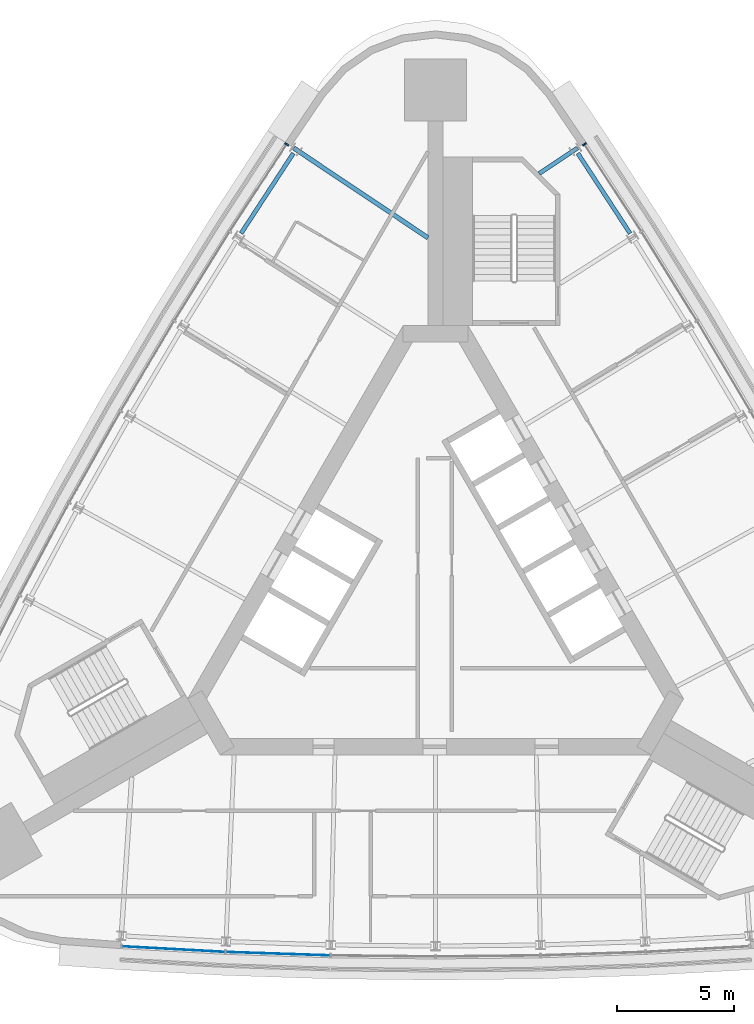
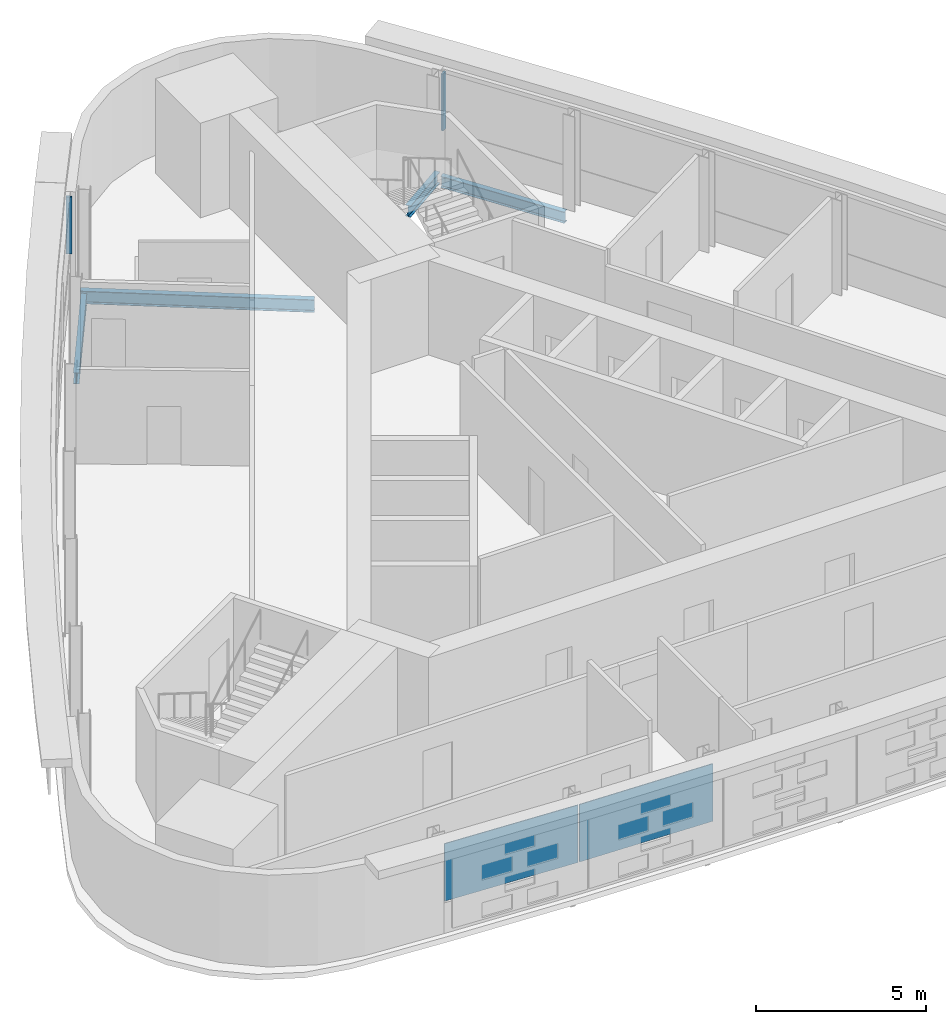
# One storey, part 5 of 11: 4 beams, 2 members, 2 plates, 3 elements without a shape of their own.
"""IFC4 building model written with IfcOpenShell, lengths in metres."""

from ifc_helpers import new_model, si_unit, direction, frame, origin, origin_2d, place, context, subcontext, project, spatial, rectangle, i_section, extrude, material, layer, layer_set, material_profile, profile_set, type_object, element, aggregate, save


model = new_model("IFC4")

# Units and contexts
model_context = context("Model", 3, precision=1e-05, world=origin(), true_north=direction((0.0, 1.0)))
body_context = subcontext(model_context, "Body", "Model", "MODEL_VIEW")
ifc_project = project(units=[si_unit("LENGTHUNIT", "METRE"), si_unit("AREAUNIT", "SQUARE_METRE"), si_unit("VOLUMEUNIT", "CUBIC_METRE"), si_unit("PLANEANGLEUNIT", "RADIAN"), si_unit("MASSUNIT", "GRAM", prefix="KILO")], contexts=[model_context])

# Site, building, storey
site_placement = place(None, origin())
site = spatial("IfcSite", under=ifc_project, at=site_placement, CompositionType="ELEMENT")
building_placement = place(site_placement, origin())
building = spatial("IfcBuilding", under=site, at=building_placement, Name="Noor Cloister Tower", CompositionType="ELEMENT")
storey_placement = place(building_placement, frame((0.0, 0.0, 203.10009765625)))
storey = spatial("IfcBuildingStorey", under=building, at=storey_placement, Name="L52", CompositionType="ELEMENT", Elevation=203.10009765625)

# Curtain wall, member
ifc_material_1 = material(Name="Aluminium 6063-T6 anodised", Category="aluminium")
curtain_wall_type = type_object("IfcCurtainWallType", Name="Ribbon curtain wall, upper tower CW5", PredefinedType="NOTDEFINED", material=ifc_material_1)
curtain_wall_1_placement = place(storey_placement, origin())
curtain_wall_1 = element("IfcCurtainWall", 1, at=curtain_wall_1_placement, inside=storey, type_object=curtain_wall_type, Name="CW5 L52 NW run 1", PredefinedType="NOTDEFINED")
ifc_material_2 = material(Name="Aluminium 6063-T6 anodised", Category="aluminium")
ifc_material_profile_1 = material_profile(ifc_material_2, rectangle(XDim=0.179931640625, YDim=0.070068359375, at=origin_2d()), Name="180 x 70 mullion")
ifc_profile_set_1 = profile_set([ifc_material_profile_1], Name="Aluminium 6063-T6 anodised")
member_type = type_object("IfcMemberType", Name="Mullion CW5 70 x 180", PredefinedType="MULLION", material=ifc_profile_set_1)
member_1_placement = place(storey_placement, frame((-6.374267578125, 19.2109375, 1.099853515625), z_axis=(0.0, 0.0, 1.0), x_axis=(0.837378106162, -0.546624100567, 0.0)))
member_1 = element("IfcMember", 2, at=member_1_placement, type_object=member_type, Name="CW5 mullion 1", PredefinedType="MULLION", context=body_context, shape_type="SweptSolid", body=[
    extrude(rectangle(XDim=0.179931640625, YDim=0.070068359375, at=origin_2d()), origin(), (0.0, 0.0, 1.0), 2.050048828125),
])
aggregate(curtain_wall_1, [member_1])

curtain_wall_2_placement = place(storey_placement, origin())
curtain_wall_2 = element("IfcCurtainWall", 3, at=curtain_wall_2_placement, inside=storey, type_object=curtain_wall_type, Name="CW5 L52 NE run 3", PredefinedType="NOTDEFINED")
member_2_placement = place(storey_placement, frame((6.374267578125, 19.2109375, 1.099853515625), z_axis=(0.0, 0.0, 1.0), x_axis=(-0.837378106162, -0.546624100567, 0.0)))
member_2 = element("IfcMember", 4, at=member_2_placement, type_object=member_type, Name="CW5 mullion 7", PredefinedType="MULLION", context=body_context, shape_type="SweptSolid", body=[
    extrude(rectangle(XDim=0.179931640625, YDim=0.070068359375, at=origin_2d()), origin(), (0.0, 0.0, 1.0), 2.050048828125),
])
aggregate(curtain_wall_2, [member_2])

# Beams
ifc_material_3 = material(Name="Steel ASTM A992 Gr 50", Category="steel")
ifc_material_profile_2 = material_profile(ifc_material_3, i_section(OverallWidth=0.177978515625, OverallDepth=0.406005859375, WebThickness=0.0078125, FlangeThickness=0.0126953125, FilletRadius=0.01025390625, at=origin_2d()), Name="W410x60")
ifc_profile_set_2 = profile_set([ifc_material_profile_2], Name="Steel ASTM A992 Gr 50")
beam_type_1 = type_object("IfcBeamType", Name="Radial beam W410x60", PredefinedType="BEAM", material=ifc_profile_set_2)
beam_1_placement = place(storey_placement, frame((6.074951171875, 19.05126953125, -0.403076171875), z_axis=(-0.831382826262, -0.555700095552, 0.0), x_axis=(0.555700095552, -0.831382826262, 0.0)))
element("IfcBeam", 5, at=beam_1_placement, inside=storey, type_object=beam_type_1, Name="Radial beam NE 07 L52", PredefinedType="BEAM", context=body_context, shape_type="SweptSolid", body=[
    extrude(i_section(OverallWidth=0.177978515625, OverallDepth=0.406005859375, WebThickness=0.0078125, FlangeThickness=0.0126953125, FilletRadius=0.01025390625, at=origin_2d()), origin(), (0.0, 0.0, 1.0), 1.97119140625),
])
ifc_material_4 = material(Name="Steel ASTM A992 Gr 50", Category="steel")
ifc_material_profile_3 = material_profile(ifc_material_4, i_section(OverallWidth=0.19091796875, OverallDepth=0.45703125, WebThickness=0.009033203125, FlangeThickness=0.014404296875, FilletRadius=0.01025390625, at=origin_2d()), Name="W460x74")
ifc_profile_set_3 = profile_set([ifc_material_profile_3], Name="Steel ASTM A992 Gr 50")
beam_type_2 = type_object("IfcBeamType", Name="Radial beam W460x74", PredefinedType="BEAM", material=ifc_profile_set_3)
beam_2_placement = place(storey_placement, frame((-6.074951171875, 19.05126953125, -0.4287109375), z_axis=(0.831354528555, -0.555742429414, 0.0), x_axis=(0.555742429414, 0.831354528555, 0.0)))
element("IfcBeam", 6, at=beam_2_placement, inside=storey, type_object=beam_type_2, Name="Radial beam NW 01 L52", PredefinedType="BEAM", context=body_context, shape_type="SweptSolid", body=[
    extrude(i_section(OverallWidth=0.19091796875, OverallDepth=0.45703125, WebThickness=0.009033203125, FlangeThickness=0.014404296875, FilletRadius=0.01025390625, at=origin_2d()), origin(), (0.0, 0.0, 1.0), 6.91650390625),
])
ifc_material_5 = material(Name="Steel ASTM A992 Gr 50", Category="steel")
ifc_material_profile_4 = material_profile(ifc_material_5, i_section(OverallWidth=0.177978515625, OverallDepth=0.406005859375, WebThickness=0.0078125, FlangeThickness=0.0126953125, FilletRadius=0.01025390625, at=origin_2d()), Name="W410x60")
ifc_profile_set_4 = profile_set([ifc_material_profile_4], Name="Steel ASTM A992 Gr 50")
beam_type_3 = type_object("IfcBeamType", Name="Spandrel beam W410x60", PredefinedType="SPANDREL", material=ifc_profile_set_4)
for number, where, z_axis, x_axis, name in (
    (7, (-6.08935546875, 18.82421875, -0.403076171875), (-0.546609723781, -0.837387490872, 0.0), (0.837387490872, -0.546609723781, 0.0), "Spandrel beam NW 01 L52"),
    (8, (8.3271484375, 15.39599609375, -0.403076171875), (-0.546609723781, 0.837387490872, 0.0), (-0.837387490872, -0.546609723781, 0.0), "Spandrel beam NE 06 L52"),
):
    element("IfcBeam", number, at=place(storey_placement, frame(where, z_axis=z_axis, x_axis=x_axis)), inside=storey, type_object=beam_type_3, Name=name, PredefinedType="SPANDREL", context=body_context, shape_type="SweptSolid", body=[
        extrude(i_section(OverallWidth=0.177978515625, OverallDepth=0.406005859375, WebThickness=0.0078125, FlangeThickness=0.0126953125, FilletRadius=0.01025390625, at=origin_2d()), origin(), (0.0, 0.0, 1.0), 4.093994140625),
    ])

# Curtain wall, plates
curtain_wall_3_placement = place(storey_placement, origin())
curtain_wall_3 = element("IfcCurtainWall", 9, at=curtain_wall_3_placement, inside=storey, type_object=curtain_wall_type, Name="CW5 L52 S run 2", PredefinedType="NOTDEFINED")
ifc_material_6 = material(Name="Clear laminated glass 2 x 8 mm", Category="glass")
ifc_layer = layer(ifc_material_6, 0.028076171875)
ifc_layer_set = layer_set([ifc_layer], Name="Glass panel CW5")
plate_type = type_object("IfcPlateType", Name="Glass panel CW5", PredefinedType="CURTAIN_PANEL", material=ifc_layer_set)
plate_1_placement = place(storey_placement, frame((-11.221435546875, -15.247802734375, 1.08984375), z_axis=(0.0, 0.0, 1.0), x_axis=(0.998502762793, -0.054701304331, 0.0)))
plate_1 = element("IfcPlate", 10, at=plate_1_placement, type_object=plate_type, Name="CW5 glass panel 1", PredefinedType="CURTAIN_PANEL", context=body_context, shape_type="SweptSolid", body=[
    extrude(rectangle(XDim=4.413818359375, YDim=0.028076171875, at=origin_2d()), origin(), (0.0, 0.0, 1.0), 2.070068359375),
])
plate_2_placement = place(storey_placement, frame((-6.7451171875, -15.44384765625, 1.08984375), z_axis=(0.0, 0.0, 1.0), x_axis=(0.999460908721, -0.032831264644, 0.0)))
plate_2 = element("IfcPlate", 11, at=plate_2_placement, type_object=plate_type, Name="CW5 glass panel 2", PredefinedType="CURTAIN_PANEL", context=body_context, shape_type="SweptSolid", body=[
    extrude(rectangle(XDim=4.44775390625, YDim=0.028076171875, at=origin_2d()), origin(), (0.0, 0.0, 1.0), 2.070068359375),
])
aggregate(curtain_wall_3, [plate_1, plate_2])

save(model, "model.ifc")
